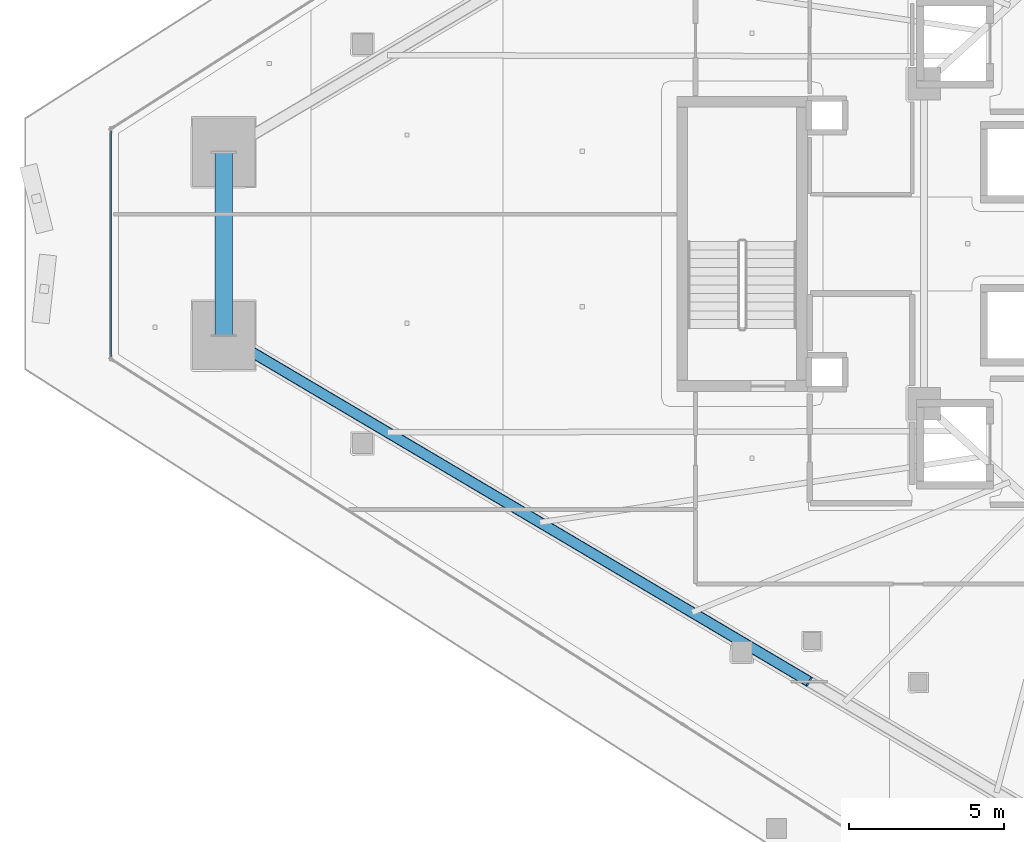
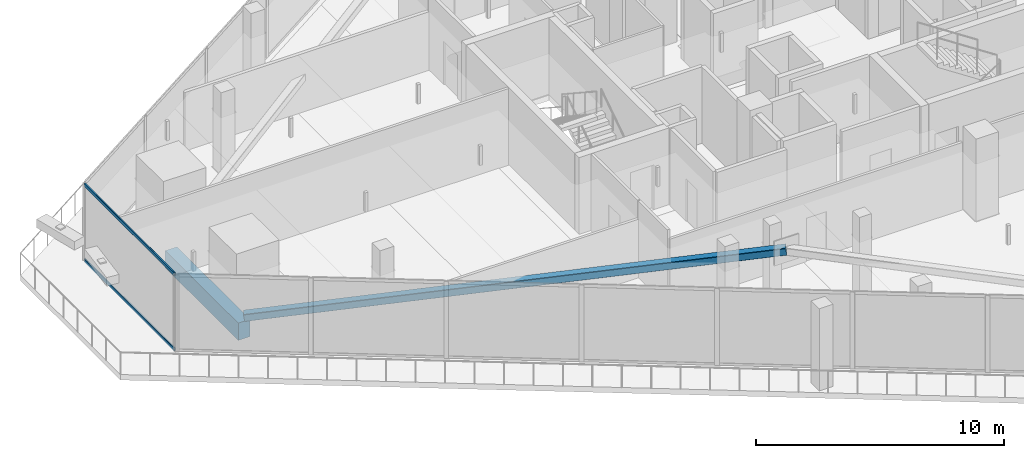
# One storey, part 5 of 43: 3 members, 1 beam, 1 element without a shape of its own.
"""IFC4 building model written with IfcOpenShell, lengths in metres."""

from ifc_helpers import new_model, si_unit, direction, frame, origin, origin_2d, place, context, subcontext, project, spatial, rectangle, hollow_rectangle, extrude, material, layer, layer_set, material_profile, profile_set, type_object, element, aggregate, save


model = new_model("IFC4")

# Units and contexts
model_context = context("Model", 3, precision=1e-05, world=origin(), true_north=direction((0.0, 1.0)))
body_context = subcontext(model_context, "Body", "Model", "MODEL_VIEW")
ifc_project = project(units=[si_unit("LENGTHUNIT", "METRE"), si_unit("AREAUNIT", "SQUARE_METRE"), si_unit("VOLUMEUNIT", "CUBIC_METRE"), si_unit("PLANEANGLEUNIT", "RADIAN"), si_unit("MASSUNIT", "GRAM", prefix="KILO")], contexts=[model_context])

# Site, building, storey
site_placement = place(None, origin())
site = spatial("IfcSite", under=ifc_project, at=site_placement, CompositionType="ELEMENT")
building_placement = place(site_placement, origin())
building = spatial("IfcBuilding", under=site, at=building_placement, Name="Qorvath Tower", CompositionType="ELEMENT")
storey_placement = place(building_placement, frame((0.0, 0.0, 150.300048828125)))
storey = spatial("IfcBuildingStorey", under=building, at=storey_placement, Name="L34", CompositionType="ELEMENT", Elevation=150.300048828125)

# Beam
ifc_material_1 = material(Name="Concrete C50/60", Category="concrete")
ifc_material_profile_1 = material_profile(ifc_material_1, rectangle(XDim=0.550048828125, YDim=0.85009765625, at=origin_2d()), Name="RCB 850x550")
ifc_profile_set_1 = profile_set([ifc_material_profile_1], Name="Concrete C50/60")
beam_type = type_object("IfcBeamType", Name="BM-RCB2", PredefinedType="SPANDREL", material=ifc_profile_set_1)
beam_placement = place(storey_placement, frame((-53.04931640625, 2.95068359375, -0.695068359375), z_axis=(0.0, -1.0, 0.0), x_axis=(1.0, 0.0, 0.0)))
element("IfcBeam", 1, at=beam_placement, inside=storey, type_object=beam_type, Name="Perimeter Loggia Frame Beam MC1-MC2 L34", PredefinedType="SPANDREL", context=body_context, shape_type="SweptSolid", body=[
    extrude(rectangle(XDim=0.550048828125, YDim=0.85009765625, at=origin_2d()), origin(), (0.0, 0.0, 1.0), 5.9013671875),
])

# Curtain wall, members
ifc_material_2 = material(Name="Anodised aluminium and triple low-E glass", Category="aluminium")
ifc_layer = layer(ifc_material_2, 0.179931640625)
ifc_layer_set = layer_set([ifc_layer], Name="CW-SYS-5")
curtain_wall_type = type_object("IfcCurtainWallType", Name="CW-SYS-5", PredefinedType="NOTDEFINED", material=ifc_layer_set)
curtain_wall_placement = place(storey_placement, origin())
curtain_wall = element("IfcCurtainWall", 2, at=curtain_wall_placement, inside=storey, type_object=curtain_wall_type, Name="Curtain Wall CW-5 CW-T-L34-17.1", PredefinedType="NOTDEFINED")
ifc_material_3 = material(Name="Anodised aluminium 6063-T6", Category="aluminium")
ifc_material_profile_2 = material_profile(ifc_material_3, hollow_rectangle(XDim=0.06494140625, YDim=0.159912109375, WallThickness=0.00341796875, InnerFilletRadius=0.00341796875, OuterFilletRadius=0.007080078125, at=origin_2d()), Name="CWT 160x65")
ifc_profile_set_2 = profile_set([ifc_material_profile_2], Name="Anodised aluminium 6063-T6")
member_type_1 = type_object("IfcMemberType", Name="CWT-160", PredefinedType="USERDEFINED", material=ifc_profile_set_2)
member_1_placement = place(storey_placement, frame((-56.683837890625, 3.628173828125, 0.032470703125), z_axis=(0.0, -1.0, 0.0), x_axis=(1.0, 0.0, 0.0)))
member_1 = element("IfcMember", 3, at=member_1_placement, type_object=member_type_1, Name="CW-5 transom 1.1", ObjectType="TRANSOM", PredefinedType="USERDEFINED", context=body_context, shape_type="SweptSolid", body=[
    extrude(hollow_rectangle(XDim=0.06494140625, YDim=0.159912109375, WallThickness=0.00341796875, InnerFilletRadius=0.00341796875, OuterFilletRadius=0.007080078125, at=origin_2d()), origin(), (0.0, 0.0, 1.0), 7.25634765625),
])
member_2_placement = place(storey_placement, frame((-56.683837890625, 3.628173828125, 3.74755859375), z_axis=(0.0, -1.0, 0.0), x_axis=(1.0, 0.0, 0.0)))
member_2 = element("IfcMember", 4, at=member_2_placement, type_object=member_type_1, Name="CW-5 transom 1.2", ObjectType="TRANSOM", PredefinedType="USERDEFINED", context=body_context, shape_type="SweptSolid", body=[
    extrude(hollow_rectangle(XDim=0.06494140625, YDim=0.159912109375, WallThickness=0.00341796875, InnerFilletRadius=0.00341796875, OuterFilletRadius=0.007080078125, at=origin_2d()), origin(), (0.0, 0.0, 1.0), 7.25634765625),
])
aggregate(curtain_wall, [member_1, member_2])

# Member
ifc_material_4 = material(Name="Steel ASTM A500 Grade C", Category="steel")
ifc_material_profile_3 = material_profile(ifc_material_4, hollow_rectangle(XDim=0.355712890625, YDim=0.355712890625, WallThickness=0.015869140625, InnerFilletRadius=0.015869140625, OuterFilletRadius=0.03173828125, at=origin_2d()), Name="HSS 356x356x16")
ifc_profile_set_3 = profile_set([ifc_material_profile_3], Name="Steel ASTM A500 Grade C")
member_type_2 = type_object("IfcMemberType", Name="MEM-MB2", PredefinedType="BRACE", material=ifc_profile_set_3)
member_3_placement = place(storey_placement, frame((-53.04931640625, -2.95068359375, 0.0), z_axis=(0.850410115142, -0.502856465521, 0.154719136333), x_axis=(0.508985415689, 0.860775142889, 0.0)))
element("IfcMember", 5, at=member_3_placement, inside=storey, type_object=member_type_2, Name="Perimeter Chevron Brace L34-2A", PredefinedType="BRACE", context=body_context, shape_type="SweptSolid", body=[
    extrude(hollow_rectangle(XDim=0.355712890625, YDim=0.355712890625, WallThickness=0.015869140625, InnerFilletRadius=0.015869140625, OuterFilletRadius=0.03173828125, at=origin_2d()), origin(), (0.0, 0.0, 1.0), 22.168701171875),
])

save(model, "model.ifc")
